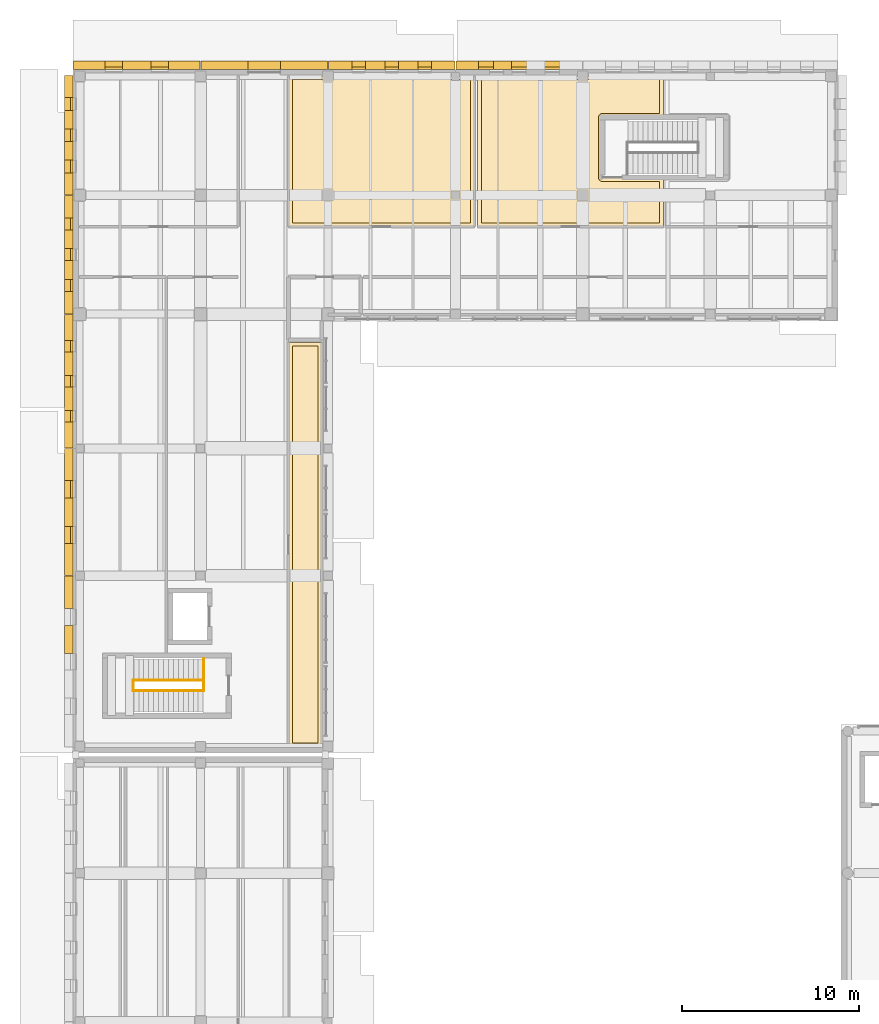
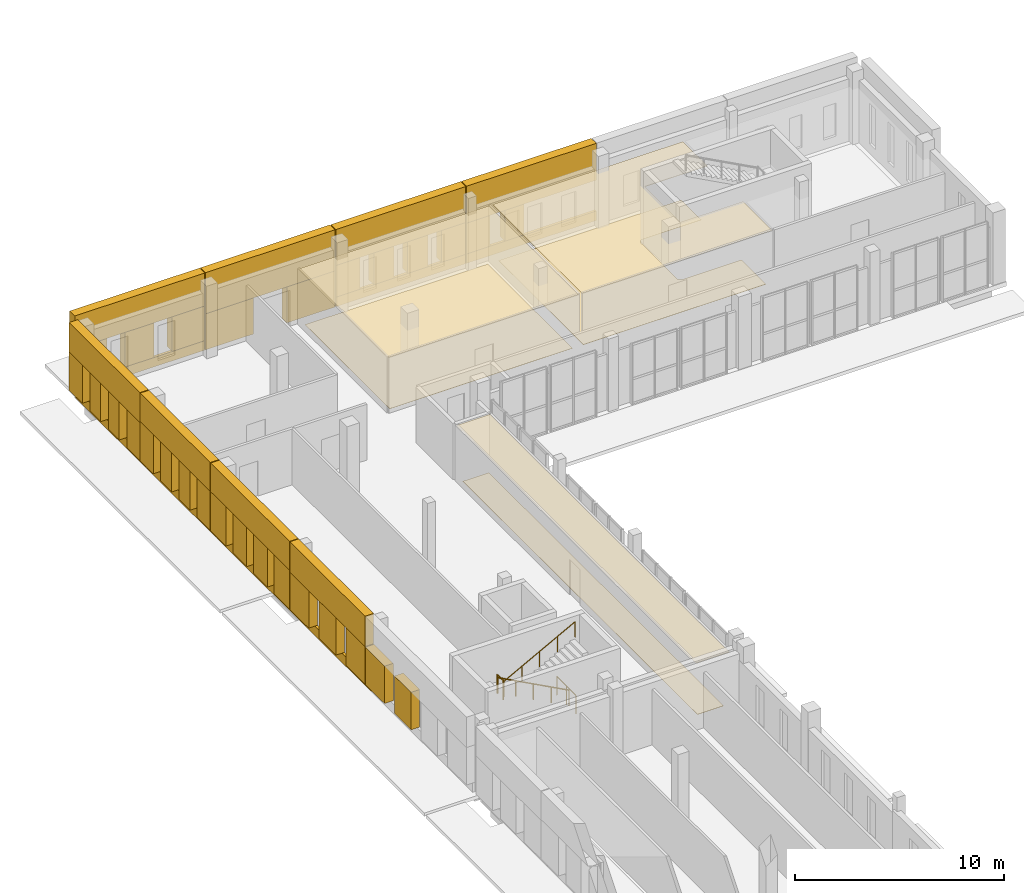
# One storey, part 72 of 77: 49 coverings, 4 railings.
"""IFC4 building model written with IfcOpenShell, lengths in metres."""

from ifc_helpers import new_model, si_unit, direction, frame, origin, origin_2d, place, context, subcontext, project, spatial, polyline, circle, outline, extrude, material, layer, layer_set, type_object, element, save


model = new_model("IFC4")

# Units and contexts
model_context = context("Model", 3, precision=1e-05, world=origin(), true_north=direction((0.0, 1.0)))
body_context = subcontext(model_context, "Body", "Model", "MODEL_VIEW")
ifc_project = project(units=[si_unit("LENGTHUNIT", "METRE"), si_unit("AREAUNIT", "SQUARE_METRE"), si_unit("VOLUMEUNIT", "CUBIC_METRE"), si_unit("PLANEANGLEUNIT", "RADIAN"), si_unit("MASSUNIT", "GRAM", prefix="KILO")], contexts=[model_context])

# Site, building, storey
site_placement = place(None, origin())
site = spatial("IfcSite", under=ifc_project, at=site_placement, CompositionType="ELEMENT")
building_placement = place(site_placement, origin())
building = spatial("IfcBuilding", under=site, at=building_placement, Name="Vardoun Plaza Health Centre", CompositionType="ELEMENT")
storey_placement = place(building_placement, origin())
storey = spatial("IfcBuildingStorey", under=building, at=storey_placement, Name="L00", CompositionType="ELEMENT", Elevation=0.0)

# Coverings
ifc_material_1 = material(Name="Hygienic Acoustic Mineral-Fibre Ceiling", Category="concrete")
ifc_layer_1 = layer(ifc_material_1, 0.02490234375)
ifc_layer_set_1 = layer_set([ifc_layer_1], Name="Hygienic Acoustic Mineral-Fibre Ceiling")
covering_type_1 = type_object("IfcCoveringType", Name="CL-01", PredefinedType="CEILING", material=ifc_layer_set_1)
covering_1_placement = place(storey_placement, frame((0.0, 0.0, 3.195068359375)))
element("IfcCovering", 1, at=covering_1_placement, inside=storey, type_object=covering_type_1, Name="Paediatric Consulting Room 02 Acoustic Ceiling", PredefinedType="CEILING", context=body_context, shape_type="SweptSolid", body=[
    extrude(outline(polyline([(16.679931640625, 114.93994140625), (27.175048828125, 114.93994140625), (27.175048828125, 106.429931640625), (16.679931640625, 106.429931640625), (16.679931640625, 114.93994140625)])), origin(), (0.0, 0.0, 1.0), 0.02490234375),
])
covering_2_placement = place(storey_placement, frame((0.0, 0.0, 3.195068359375)))
element("IfcCovering", 2, at=covering_2_placement, inside=storey, type_object=covering_type_1, Name="Child Immunisation Room Acoustic Ceiling", PredefinedType="CEILING", context=body_context, shape_type="SweptSolid", body=[
    extrude(outline(polyline([(37.85009765625, 114.93994140625), (37.85009765625, 112.610107421875), (34.39990234375, 112.610107421875), (34.39892578125, 112.610107421875), (34.39794921875, 112.60986328125), (34.397216796875, 112.609619140625), (34.396240234375, 112.609130859375), (34.395263671875, 112.60888671875), (34.394287109375, 112.6083984375), (34.393798828125, 112.607666015625), (34.392822265625, 112.607177734375), (34.392333984375, 112.606201171875), (34.3916015625, 112.605712890625), (34.39111328125, 112.604736328125), (34.390869140625, 112.603759765625), (34.390380859375, 112.602783203125), (34.39013671875, 112.60205078125), (34.389892578125, 112.60107421875), (34.389892578125, 112.60009765625), (34.389892578125, 109.199951171875), (34.389892578125, 109.198974609375), (34.39013671875, 109.197998046875), (34.390380859375, 109.197021484375), (34.390869140625, 109.1962890625), (34.39111328125, 109.1953125), (34.3916015625, 109.1943359375), (34.392333984375, 109.193603515625), (34.392822265625, 109.19287109375), (34.393798828125, 109.1923828125), (34.394287109375, 109.191650390625), (34.395263671875, 109.191162109375), (34.396240234375, 109.19091796875), (34.397216796875, 109.1904296875), (34.39794921875, 109.190185546875), (34.39892578125, 109.18994140625), (34.39990234375, 109.18994140625), (37.85009765625, 109.18994140625), (37.85009765625, 106.429931640625), (27.35498046875, 106.429931640625), (27.35498046875, 114.93994140625), (37.85009765625, 114.93994140625)])), origin(), (0.0, 0.0, 1.0), 0.02490234375),
])
covering_3_placement = place(storey_placement, frame((0.0, 0.0, 3.195068359375)))
element("IfcCovering", 3, at=covering_3_placement, inside=storey, type_object=covering_type_1, Name="Paediatric Consulting Room 02 B Acoustic Ceiling", PredefinedType="CEILING", context=body_context, shape_type="SweptSolid", body=[
    extrude(outline(polyline([(18.5400390625, 77.0400390625), (16.679931640625, 77.0400390625), (16.679931640625, 99.879150390625), (18.5400390625, 99.879150390625), (18.5400390625, 77.0400390625)])), origin(), (0.0, 0.0, 1.0), 0.02490234375),
])
ifc_material_2 = material(Name="Pale Limestone Concrete C35/45", Category="masonry")
ifc_layer_2 = layer(ifc_material_2, 0.080078125)
ifc_layer_set_2 = layer_set([ifc_layer_2], Name="Pale Limestone Concrete C35/45")
covering_type_2 = type_object("IfcCoveringType", Name="CL-EXT1", PredefinedType="CLADDING", material=ifc_layer_set_2)
covering_4_placement = place(storey_placement, origin())
element("IfcCovering", 4, at=covering_4_placement, inside=storey, type_object=covering_type_2, Name="V3 L00 Pale Concrete Sill Band 700", PredefinedType="CLADDING", context=body_context, shape_type="SweptSolid", body=[
    extrude(outline(polyline([(4.52001953125, 115.300048828125), (11.679931640625, 115.300048828125), (11.679931640625, 115.43994140625), (4.52001953125, 115.43994140625), (4.52001953125, 115.300048828125)])), origin(), (0.0, 0.0, 1.0), 0.550048828125),
])
covering_5_placement = place(storey_placement, frame((0.0, 0.0, 2.570068359375)))
element("IfcCovering", 5, at=covering_5_placement, inside=storey, type_object=covering_type_2, Name="V3 L00 Sculpted Concrete Eyebrow Hood 701", PredefinedType="CLADDING", context=body_context, shape_type="SweptSolid", body=[
    extrude(outline(polyline([(4.52001953125, 115.300048828125), (11.679931640625, 115.300048828125), (11.679931640625, 115.780029296875), (4.52001953125, 115.780029296875), (4.52001953125, 115.300048828125)])), origin(), (0.0, 0.0, 1.0), 1.929931640625),
])
covering_6_placement = place(storey_placement, frame((0.0, 0.0, 0.550048828125)))
element("IfcCovering", 6, at=covering_6_placement, inside=storey, type_object=covering_type_2, Name="V3 L00 Deep-Punched Slot Concrete Reveal Pier 702", PredefinedType="CLADDING", context=body_context, shape_type="SweptSolid", body=[
    extrude(outline(polyline([(4.52001953125, 115.300048828125), (6.30908203125, 115.300048828125), (6.30908203125, 115.780029296875), (4.52001953125, 115.780029296875), (4.52001953125, 115.300048828125)])), origin(), (0.0, 0.0, 1.0), 2.02001953125),
])
covering_7_placement = place(storey_placement, frame((0.0, 0.0, 0.550048828125)))
element("IfcCovering", 7, at=covering_7_placement, inside=storey, type_object=covering_type_2, Name="V3 L00 Deep-Punched Slot Concrete Reveal Pier 703", PredefinedType="CLADDING", context=body_context, shape_type="SweptSolid", body=[
    extrude(outline(polyline([(7.299072265625, 115.300048828125), (8.90087890625, 115.300048828125), (8.90087890625, 115.780029296875), (7.299072265625, 115.780029296875), (7.299072265625, 115.300048828125)])), origin(), (0.0, 0.0, 1.0), 2.02001953125),
])
covering_8_placement = place(storey_placement, frame((0.0, 0.0, 0.550048828125)))
element("IfcCovering", 8, at=covering_8_placement, inside=storey, type_object=covering_type_2, Name="V3 L00 Deep-Punched Slot Concrete Reveal Pier 704", PredefinedType="CLADDING", context=body_context, shape_type="SweptSolid", body=[
    extrude(outline(polyline([(9.89111328125, 115.300048828125), (11.679931640625, 115.300048828125), (11.679931640625, 115.780029296875), (9.89111328125, 115.780029296875), (9.89111328125, 115.300048828125)])), origin(), (0.0, 0.0, 1.0), 2.02001953125),
])
covering_9_placement = place(storey_placement, frame((0.0, 0.0, 2.10009765625)))
element("IfcCovering", 9, at=covering_9_placement, inside=storey, type_object=covering_type_2, Name="V3 L00 Sculpted Concrete Eyebrow Hood 705", PredefinedType="CLADDING", context=body_context, shape_type="SweptSolid", body=[
    extrude(outline(polyline([(11.719970703125, 115.300048828125), (18.8798828125, 115.300048828125), (18.8798828125, 115.780029296875), (11.719970703125, 115.780029296875), (11.719970703125, 115.300048828125)])), origin(), (0.0, 0.0, 1.0), 2.39990234375),
])
covering_10_placement = place(storey_placement, origin())
element("IfcCovering", 10, at=covering_10_placement, inside=storey, type_object=covering_type_2, Name="V3 L00 Deep-Punched Slot Concrete Reveal Pier 706", PredefinedType="CLADDING", context=body_context, shape_type="SweptSolid", body=[
    extrude(outline(polyline([(11.719970703125, 115.300048828125), (14.3798828125, 115.300048828125), (14.3798828125, 115.780029296875), (11.719970703125, 115.780029296875), (11.719970703125, 115.300048828125)])), origin(), (0.0, 0.0, 1.0), 2.10009765625),
])
covering_11_placement = place(storey_placement, origin())
element("IfcCovering", 11, at=covering_11_placement, inside=storey, type_object=covering_type_2, Name="V3 L00 Deep-Punched Slot Concrete Reveal Pier 707", PredefinedType="CLADDING", context=body_context, shape_type="SweptSolid", body=[
    extrude(outline(polyline([(16.219970703125, 115.300048828125), (18.8798828125, 115.300048828125), (18.8798828125, 115.780029296875), (16.219970703125, 115.780029296875), (16.219970703125, 115.300048828125)])), origin(), (0.0, 0.0, 1.0), 2.10009765625),
])
covering_12_placement = place(storey_placement, origin())
element("IfcCovering", 12, at=covering_12_placement, inside=storey, type_object=covering_type_2, Name="V3 L00 Pale Concrete Sill Band 708", PredefinedType="CLADDING", context=body_context, shape_type="SweptSolid", body=[
    extrude(outline(polyline([(18.919921875, 115.300048828125), (26.080078125, 115.300048828125), (26.080078125, 115.43994140625), (18.919921875, 115.43994140625), (18.919921875, 115.300048828125)])), origin(), (0.0, 0.0, 1.0), 0.550048828125),
])
covering_13_placement = place(storey_placement, frame((0.0, 0.0, 2.39990234375)))
element("IfcCovering", 13, at=covering_13_placement, inside=storey, type_object=covering_type_2, Name="V3 L00 Sculpted Concrete Eyebrow Hood 709", PredefinedType="CLADDING", context=body_context, shape_type="SweptSolid", body=[
    extrude(outline(polyline([(18.919921875, 115.300048828125), (26.080078125, 115.300048828125), (26.080078125, 115.780029296875), (18.919921875, 115.780029296875), (18.919921875, 115.300048828125)])), origin(), (0.0, 0.0, 1.0), 2.10009765625),
])
covering_14_placement = place(storey_placement, frame((0.0, 0.0, 0.550048828125)))
element("IfcCovering", 14, at=covering_14_placement, inside=storey, type_object=covering_type_2, Name="V3 L00 Deep-Punched Slot Concrete Reveal Pier 710", PredefinedType="CLADDING", context=body_context, shape_type="SweptSolid", body=[
    extrude(outline(polyline([(18.919921875, 115.300048828125), (20.248046875, 115.300048828125), (20.248046875, 115.780029296875), (18.919921875, 115.780029296875), (18.919921875, 115.300048828125)])), origin(), (0.0, 0.0, 1.0), 1.849853515625),
])
covering_15_placement = place(storey_placement, frame((0.0, 0.0, 0.550048828125)))
element("IfcCovering", 15, at=covering_15_placement, inside=storey, type_object=covering_type_2, Name="V3 L00 Deep-Punched Slot Concrete Reveal Pier 711", PredefinedType="CLADDING", context=body_context, shape_type="SweptSolid", body=[
    extrude(outline(polyline([(21.008056640625, 115.300048828125), (22.1201171875, 115.300048828125), (22.1201171875, 115.780029296875), (21.008056640625, 115.780029296875), (21.008056640625, 115.300048828125)])), origin(), (0.0, 0.0, 1.0), 1.849853515625),
])
covering_16_placement = place(storey_placement, frame((0.0, 0.0, 0.550048828125)))
element("IfcCovering", 16, at=covering_16_placement, inside=storey, type_object=covering_type_2, Name="V3 L00 Deep-Punched Slot Concrete Reveal Pier 712", PredefinedType="CLADDING", context=body_context, shape_type="SweptSolid", body=[
    extrude(outline(polyline([(22.8798828125, 115.300048828125), (23.991943359375, 115.300048828125), (23.991943359375, 115.780029296875), (22.8798828125, 115.780029296875), (22.8798828125, 115.300048828125)])), origin(), (0.0, 0.0, 1.0), 1.849853515625),
])
covering_17_placement = place(storey_placement, frame((0.0, 0.0, 0.550048828125)))
element("IfcCovering", 17, at=covering_17_placement, inside=storey, type_object=covering_type_2, Name="V3 L00 Deep-Punched Slot Concrete Reveal Pier 713", PredefinedType="CLADDING", context=body_context, shape_type="SweptSolid", body=[
    extrude(outline(polyline([(24.751953125, 115.300048828125), (26.080078125, 115.300048828125), (26.080078125, 115.780029296875), (24.751953125, 115.780029296875), (24.751953125, 115.300048828125)])), origin(), (0.0, 0.0, 1.0), 1.849853515625),
])
covering_18_placement = place(storey_placement, origin())
element("IfcCovering", 18, at=covering_18_placement, inside=storey, type_object=covering_type_2, Name="V3 L00 Pale Concrete Sill Band 714", PredefinedType="CLADDING", context=body_context, shape_type="SweptSolid", body=[
    extrude(outline(polyline([(26.1201171875, 115.300048828125), (33.280029296875, 115.300048828125), (33.280029296875, 115.43994140625), (26.1201171875, 115.43994140625), (26.1201171875, 115.300048828125)])), origin(), (0.0, 0.0, 1.0), 0.550048828125),
])
covering_19_placement = place(storey_placement, frame((0.0, 0.0, 2.35009765625)))
element("IfcCovering", 19, at=covering_19_placement, inside=storey, type_object=covering_type_2, Name="V3 L00 Sculpted Concrete Eyebrow Hood 715", PredefinedType="CLADDING", context=body_context, shape_type="SweptSolid", body=[
    extrude(outline(polyline([(26.1201171875, 115.300048828125), (33.280029296875, 115.300048828125), (33.280029296875, 115.780029296875), (26.1201171875, 115.780029296875), (26.1201171875, 115.300048828125)])), origin(), (0.0, 0.0, 1.0), 2.14990234375),
])
covering_20_placement = place(storey_placement, frame((0.0, 0.0, 0.550048828125)))
element("IfcCovering", 20, at=covering_20_placement, inside=storey, type_object=covering_type_2, Name="V3 L00 Deep-Punched Slot Concrete Reveal Pier 716", PredefinedType="CLADDING", context=body_context, shape_type="SweptSolid", body=[
    extrude(outline(polyline([(26.1201171875, 115.300048828125), (27.407958984375, 115.300048828125), (27.407958984375, 115.780029296875), (26.1201171875, 115.780029296875), (26.1201171875, 115.300048828125)])), origin(), (0.0, 0.0, 1.0), 1.800048828125),
])
covering_21_placement = place(storey_placement, frame((0.0, 0.0, 0.550048828125)))
element("IfcCovering", 21, at=covering_21_placement, inside=storey, type_object=covering_type_2, Name="V3 L00 Deep-Punched Slot Concrete Reveal Pier 717", PredefinedType="CLADDING", context=body_context, shape_type="SweptSolid", body=[
    extrude(outline(polyline([(28.248046875, 115.300048828125), (29.280029296875, 115.300048828125), (29.280029296875, 115.780029296875), (28.248046875, 115.780029296875), (28.248046875, 115.300048828125)])), origin(), (0.0, 0.0, 1.0), 1.800048828125),
])
covering_22_placement = place(storey_placement, frame((0.0, 0.0, 0.550048828125)))
element("IfcCovering", 22, at=covering_22_placement, inside=storey, type_object=covering_type_2, Name="V3 L00 Deep-Punched Slot Concrete Reveal Pier 742", PredefinedType="CLADDING", context=body_context, shape_type="SweptSolid", body=[
    extrude(outline(polyline([(4.5, 82.3173828125), (4.5, 83.90087890625), (4.02001953125, 83.90087890625), (4.02001953125, 82.3173828125), (4.5, 82.3173828125)])), origin(), (0.0, 0.0, 1.0), 2.179931640625),
])
covering_23_placement = place(storey_placement, frame((0.0, 0.0, 0.550048828125)))
element("IfcCovering", 23, at=covering_23_placement, inside=storey, type_object=covering_type_2, Name="V3 L00 Deep-Punched Slot Concrete Reveal Pier 743", PredefinedType="CLADDING", context=body_context, shape_type="SweptSolid", body=[
    extrude(outline(polyline([(4.5, 84.8408203125), (4.5, 86.679931640625), (4.02001953125, 86.679931640625), (4.02001953125, 84.8408203125), (4.5, 84.8408203125)])), origin(), (0.0, 0.0, 1.0), 2.179931640625),
])
covering_24_placement = place(storey_placement, origin())
element("IfcCovering", 24, at=covering_24_placement, inside=storey, type_object=covering_type_2, Name="V3 L00 Pale Concrete Sill Band 744", PredefinedType="CLADDING", context=body_context, shape_type="SweptSolid", body=[
    extrude(outline(polyline([(4.5, 86.719970703125), (4.5, 93.8798828125), (4.360107421875, 93.8798828125), (4.360107421875, 86.719970703125), (4.5, 86.719970703125)])), origin(), (0.0, 0.0, 1.0), 0.550048828125),
])
covering_25_placement = place(storey_placement, frame((0.0, 0.0, 2.72998046875)))
element("IfcCovering", 25, at=covering_25_placement, inside=storey, type_object=covering_type_2, Name="V3 L00 Sculpted Concrete Eyebrow Hood 745", PredefinedType="CLADDING", context=body_context, shape_type="SweptSolid", body=[
    extrude(outline(polyline([(4.5, 86.719970703125), (4.5, 93.8798828125), (4.02001953125, 93.8798828125), (4.02001953125, 86.719970703125), (4.5, 86.719970703125)])), origin(), (0.0, 0.0, 1.0), 1.77001953125),
])
covering_26_placement = place(storey_placement, frame((0.0, 0.0, 0.550048828125)))
element("IfcCovering", 26, at=covering_26_placement, inside=storey, type_object=covering_type_2, Name="V3 L00 Deep-Punched Slot Concrete Reveal Pier 746", PredefinedType="CLADDING", context=body_context, shape_type="SweptSolid", body=[
    extrude(outline(polyline([(4.5, 86.719970703125), (4.5, 88.513916015625), (4.02001953125, 88.513916015625), (4.02001953125, 86.719970703125), (4.5, 86.719970703125)])), origin(), (0.0, 0.0, 1.0), 2.179931640625),
])
covering_27_placement = place(storey_placement, frame((0.0, 0.0, 0.550048828125)))
element("IfcCovering", 27, at=covering_27_placement, inside=storey, type_object=covering_type_2, Name="V3 L00 Deep-Punched Slot Concrete Reveal Pier 747", PredefinedType="CLADDING", context=body_context, shape_type="SweptSolid", body=[
    extrude(outline(polyline([(4.5, 89.493896484375), (4.5, 91.10595703125), (4.02001953125, 91.10595703125), (4.02001953125, 89.493896484375), (4.5, 89.493896484375)])), origin(), (0.0, 0.0, 1.0), 2.179931640625),
])
covering_28_placement = place(storey_placement, frame((0.0, 0.0, 0.550048828125)))
element("IfcCovering", 28, at=covering_28_placement, inside=storey, type_object=covering_type_2, Name="V3 L00 Deep-Punched Slot Concrete Reveal Pier 748", PredefinedType="CLADDING", context=body_context, shape_type="SweptSolid", body=[
    extrude(outline(polyline([(4.5, 92.0859375), (4.5, 93.8798828125), (4.02001953125, 93.8798828125), (4.02001953125, 92.0859375), (4.5, 92.0859375)])), origin(), (0.0, 0.0, 1.0), 2.179931640625),
])
covering_29_placement = place(storey_placement, origin())
element("IfcCovering", 29, at=covering_29_placement, inside=storey, type_object=covering_type_2, Name="V3 L00 Pale Concrete Sill Band 749", PredefinedType="CLADDING", context=body_context, shape_type="SweptSolid", body=[
    extrude(outline(polyline([(4.5, 93.919921875), (4.5, 101.4599609375), (4.360107421875, 101.4599609375), (4.360107421875, 93.919921875), (4.5, 93.919921875)])), origin(), (0.0, 0.0, 1.0), 0.550048828125),
])
covering_30_placement = place(storey_placement, frame((0.0, 0.0, 2.830078125)))
element("IfcCovering", 30, at=covering_30_placement, inside=storey, type_object=covering_type_2, Name="V3 L00 Sculpted Concrete Eyebrow Hood 750", PredefinedType="CLADDING", context=body_context, shape_type="SweptSolid", body=[
    extrude(outline(polyline([(4.5, 93.919921875), (4.5, 101.4599609375), (4.02001953125, 101.4599609375), (4.02001953125, 93.919921875), (4.5, 93.919921875)])), origin(), (0.0, 0.0, 1.0), 1.669921875),
])
covering_31_placement = place(storey_placement, frame((0.0, 0.0, 0.550048828125)))
element("IfcCovering", 31, at=covering_31_placement, inside=storey, type_object=covering_type_2, Name="V3 L00 Deep-Punched Slot Concrete Reveal Pier 751", PredefinedType="CLADDING", context=body_context, shape_type="SweptSolid", body=[
    extrude(outline(polyline([(4.5, 93.919921875), (4.5, 95.399169921875), (4.02001953125, 95.399169921875), (4.02001953125, 93.919921875), (4.5, 93.919921875)])), origin(), (0.0, 0.0, 1.0), 2.280029296875),
])
covering_32_placement = place(storey_placement, frame((0.0, 0.0, 0.550048828125)))
element("IfcCovering", 32, at=covering_32_placement, inside=storey, type_object=covering_type_2, Name="V3 L00 Deep-Punched Slot Concrete Reveal Pier 752", PredefinedType="CLADDING", context=body_context, shape_type="SweptSolid", body=[
    extrude(outline(polyline([(4.5, 96.039306640625), (4.5, 97.3701171875), (4.02001953125, 97.3701171875), (4.02001953125, 96.039306640625), (4.5, 96.039306640625)])), origin(), (0.0, 0.0, 1.0), 2.280029296875),
])
covering_33_placement = place(storey_placement, frame((0.0, 0.0, 0.550048828125)))
element("IfcCovering", 33, at=covering_33_placement, inside=storey, type_object=covering_type_2, Name="V3 L00 Deep-Punched Slot Concrete Reveal Pier 753", PredefinedType="CLADDING", context=body_context, shape_type="SweptSolid", body=[
    extrude(outline(polyline([(4.5, 98.010009765625), (4.5, 99.3408203125), (4.02001953125, 99.3408203125), (4.02001953125, 98.010009765625), (4.5, 98.010009765625)])), origin(), (0.0, 0.0, 1.0), 2.280029296875),
])
covering_34_placement = place(storey_placement, frame((0.0, 0.0, 0.550048828125)))
element("IfcCovering", 34, at=covering_34_placement, inside=storey, type_object=covering_type_2, Name="V3 L00 Deep-Punched Slot Concrete Reveal Pier 754", PredefinedType="CLADDING", context=body_context, shape_type="SweptSolid", body=[
    extrude(outline(polyline([(4.5, 99.980712890625), (4.5, 101.4599609375), (4.02001953125, 101.4599609375), (4.02001953125, 99.980712890625), (4.5, 99.980712890625)])), origin(), (0.0, 0.0, 1.0), 2.280029296875),
])
covering_35_placement = place(storey_placement, origin())
element("IfcCovering", 35, at=covering_35_placement, inside=storey, type_object=covering_type_2, Name="V3 L00 Pale Concrete Sill Band 755", PredefinedType="CLADDING", context=body_context, shape_type="SweptSolid", body=[
    extrude(outline(polyline([(4.5, 101.5), (4.5, 108.179931640625), (4.360107421875, 108.179931640625), (4.360107421875, 101.5), (4.5, 101.5)])), origin(), (0.0, 0.0, 1.0), 0.550048828125),
])
covering_36_placement = place(storey_placement, frame((0.0, 0.0, 2.830078125)))
element("IfcCovering", 36, at=covering_36_placement, inside=storey, type_object=covering_type_2, Name="V3 L00 Sculpted Concrete Eyebrow Hood 756", PredefinedType="CLADDING", context=body_context, shape_type="SweptSolid", body=[
    extrude(outline(polyline([(4.5, 101.5), (4.5, 108.179931640625), (4.02001953125, 108.179931640625), (4.02001953125, 101.5), (4.5, 101.5)])), origin(), (0.0, 0.0, 1.0), 1.669921875),
])
covering_37_placement = place(storey_placement, frame((0.0, 0.0, 0.550048828125)))
element("IfcCovering", 37, at=covering_37_placement, inside=storey, type_object=covering_type_2, Name="V3 L00 Deep-Punched Slot Concrete Reveal Pier 757", PredefinedType="CLADDING", context=body_context, shape_type="SweptSolid", body=[
    extrude(outline(polyline([(4.5, 101.5), (4.5, 102.752685546875), (4.02001953125, 102.752685546875), (4.02001953125, 101.5), (4.5, 101.5)])), origin(), (0.0, 0.0, 1.0), 2.280029296875),
])
covering_38_placement = place(storey_placement, frame((0.0, 0.0, 0.550048828125)))
element("IfcCovering", 38, at=covering_38_placement, inside=storey, type_object=covering_type_2, Name="V3 L00 Deep-Punched Slot Concrete Reveal Pier 758", PredefinedType="CLADDING", context=body_context, shape_type="SweptSolid", body=[
    extrude(outline(polyline([(4.5, 103.432861328125), (4.5, 104.5), (4.02001953125, 104.5), (4.02001953125, 103.432861328125), (4.5, 103.432861328125)])), origin(), (0.0, 0.0, 1.0), 2.280029296875),
])
covering_39_placement = place(storey_placement, frame((0.0, 0.0, 0.550048828125)))
element("IfcCovering", 39, at=covering_39_placement, inside=storey, type_object=covering_type_2, Name="V3 L00 Deep-Punched Slot Concrete Reveal Pier 759", PredefinedType="CLADDING", context=body_context, shape_type="SweptSolid", body=[
    extrude(outline(polyline([(4.5, 105.179931640625), (4.5, 106.247314453125), (4.02001953125, 106.247314453125), (4.02001953125, 105.179931640625), (4.5, 105.179931640625)])), origin(), (0.0, 0.0, 1.0), 2.280029296875),
])
covering_40_placement = place(storey_placement, frame((0.0, 0.0, 0.550048828125)))
element("IfcCovering", 40, at=covering_40_placement, inside=storey, type_object=covering_type_2, Name="V3 L00 Deep-Punched Slot Concrete Reveal Pier 760", PredefinedType="CLADDING", context=body_context, shape_type="SweptSolid", body=[
    extrude(outline(polyline([(4.5, 106.92724609375), (4.5, 108.179931640625), (4.02001953125, 108.179931640625), (4.02001953125, 106.92724609375), (4.5, 106.92724609375)])), origin(), (0.0, 0.0, 1.0), 2.280029296875),
])
covering_41_placement = place(storey_placement, origin())
element("IfcCovering", 41, at=covering_41_placement, inside=storey, type_object=covering_type_2, Name="V3 L00 Pale Concrete Sill Band 761", PredefinedType="CLADDING", context=body_context, shape_type="SweptSolid", body=[
    extrude(outline(polyline([(4.5, 108.219970703125), (4.5, 114.965087890625), (4.360107421875, 114.965087890625), (4.360107421875, 108.219970703125), (4.5, 108.219970703125)])), origin(), (0.0, 0.0, 1.0), 0.550048828125),
])
covering_42_placement = place(storey_placement, frame((0.0, 0.0, 2.77001953125)))
element("IfcCovering", 42, at=covering_42_placement, inside=storey, type_object=covering_type_2, Name="V3 L00 Sculpted Concrete Eyebrow Hood 762", PredefinedType="CLADDING", context=body_context, shape_type="SweptSolid", body=[
    extrude(outline(polyline([(4.5, 108.219970703125), (4.5, 114.965087890625), (4.02001953125, 114.965087890625), (4.02001953125, 108.219970703125), (4.5, 108.219970703125)])), origin(), (0.0, 0.0, 1.0), 1.72998046875),
])
covering_43_placement = place(storey_placement, frame((0.0, 0.0, 0.550048828125)))
element("IfcCovering", 43, at=covering_43_placement, inside=storey, type_object=covering_type_2, Name="V3 L00 Deep-Punched Slot Concrete Reveal Pier 763", PredefinedType="CLADDING", context=body_context, shape_type="SweptSolid", body=[
    extrude(outline(polyline([(4.5, 108.219970703125), (4.5, 109.468505859375), (4.02001953125, 109.468505859375), (4.02001953125, 108.219970703125), (4.5, 108.219970703125)])), origin(), (0.0, 0.0, 1.0), 2.219970703125),
])
covering_44_placement = place(storey_placement, frame((0.0, 0.0, 0.550048828125)))
element("IfcCovering", 44, at=covering_44_placement, inside=storey, type_object=covering_type_2, Name="V3 L00 Deep-Punched Slot Concrete Reveal Pier 764", PredefinedType="CLADDING", context=body_context, shape_type="SweptSolid", body=[
    extrude(outline(polyline([(4.5, 110.1884765625), (4.5, 111.232421875), (4.02001953125, 111.232421875), (4.02001953125, 110.1884765625), (4.5, 110.1884765625)])), origin(), (0.0, 0.0, 1.0), 2.219970703125),
])
covering_45_placement = place(storey_placement, frame((0.0, 0.0, 0.550048828125)))
element("IfcCovering", 45, at=covering_45_placement, inside=storey, type_object=covering_type_2, Name="V3 L00 Deep-Punched Slot Concrete Reveal Pier 765", PredefinedType="CLADDING", context=body_context, shape_type="SweptSolid", body=[
    extrude(outline(polyline([(4.5, 111.952392578125), (4.5, 112.99658203125), (4.02001953125, 112.99658203125), (4.02001953125, 111.952392578125), (4.5, 111.952392578125)])), origin(), (0.0, 0.0, 1.0), 2.219970703125),
])
covering_46_placement = place(storey_placement, frame((0.0, 0.0, 0.550048828125)))
element("IfcCovering", 46, at=covering_46_placement, inside=storey, type_object=covering_type_2, Name="V3 L00 Deep-Punched Slot Concrete Reveal Pier 766", PredefinedType="CLADDING", context=body_context, shape_type="SweptSolid", body=[
    extrude(outline(polyline([(4.5, 113.716552734375), (4.5, 114.965087890625), (4.02001953125, 114.965087890625), (4.02001953125, 113.716552734375), (4.5, 113.716552734375)])), origin(), (0.0, 0.0, 1.0), 2.219970703125),
])
ifc_material_3 = material(Name="Seamless Conductive Clinical Vinyl Flooring", Category="concrete")
ifc_layer_3 = layer(ifc_material_3, 0.014892578125)
ifc_layer_set_3 = layer_set([ifc_layer_3], Name="Seamless Conductive Clinical Vinyl Flooring")
covering_type_3 = type_object("IfcCoveringType", Name="FL-01", PredefinedType="FLOORING", material=ifc_layer_set_3)
covering_47_placement = place(storey_placement, origin())
element("IfcCovering", 47, at=covering_47_placement, inside=storey, type_object=covering_type_3, Name="Paediatric Consulting Room 02 Floor Finish", PredefinedType="FLOORING", context=body_context, shape_type="SweptSolid", body=[
    extrude(outline(polyline([(16.889892578125, 114.72998046875), (26.965087890625, 114.72998046875), (26.965087890625, 106.639892578125), (16.889892578125, 106.639892578125), (16.889892578125, 114.72998046875)])), origin(), (0.0, 0.0, 1.0), 0.014892578125),
])
covering_48_placement = place(storey_placement, origin())
element("IfcCovering", 48, at=covering_48_placement, inside=storey, type_object=covering_type_3, Name="Child Immunisation Room Floor Finish", PredefinedType="FLOORING", context=body_context, shape_type="SweptSolid", body=[
    extrude(outline(polyline([(37.639892578125, 114.72998046875), (37.639892578125, 112.820068359375), (34.39990234375, 112.820068359375), (34.37841796875, 112.81884765625), (34.357177734375, 112.81591796875), (34.336181640625, 112.810546875), (34.31591796875, 112.80322265625), (34.29638671875, 112.7939453125), (34.27783203125, 112.782958984375), (34.260498046875, 112.77001953125), (34.244384765625, 112.755615234375), (34.22998046875, 112.739501953125), (34.217041015625, 112.72216796875), (34.2060546875, 112.70361328125), (34.19677734375, 112.68408203125), (34.189453125, 112.663818359375), (34.18408203125, 112.642822265625), (34.18115234375, 112.62158203125), (34.179931640625, 112.60009765625), (34.179931640625, 109.199951171875), (34.18115234375, 109.178466796875), (34.18408203125, 109.156982421875), (34.189453125, 109.135986328125), (34.19677734375, 109.11572265625), (34.2060546875, 109.09619140625), (34.217041015625, 109.077880859375), (34.22998046875, 109.060302734375), (34.244384765625, 109.04443359375), (34.260498046875, 109.02978515625), (34.27783203125, 109.01708984375), (34.29638671875, 109.006103515625), (34.31591796875, 108.99658203125), (34.336181640625, 108.989501953125), (34.357177734375, 108.984130859375), (34.37841796875, 108.981201171875), (34.39990234375, 108.97998046875), (37.639892578125, 108.97998046875), (37.639892578125, 106.639892578125), (27.56494140625, 106.639892578125), (27.56494140625, 114.72998046875), (37.639892578125, 114.72998046875)])), origin(), (0.0, 0.0, 1.0), 0.014892578125),
])
covering_49_placement = place(storey_placement, origin())
element("IfcCovering", 49, at=covering_49_placement, inside=storey, type_object=covering_type_3, Name="Paediatric Consulting Room 02 B Floor Finish", PredefinedType="FLOORING", context=body_context, shape_type="SweptSolid", body=[
    extrude(outline(polyline([(18.330078125, 77.25), (16.889892578125, 77.25), (16.889892578125, 99.669189453125), (18.330078125, 99.669189453125), (18.330078125, 77.25)])), origin(), (0.0, 0.0, 1.0), 0.014892578125),
])

# Railings
ifc_material_4 = material(Name="Painted Steel S275JR Stair-Well Guardrail", Category="steel")
railing_type_1 = type_object("IfcRailingType", Name="GR-04", PredefinedType="GUARDRAIL", material=ifc_material_4)
railing_1_placement = place(storey_placement, frame((11.889892578125, 80.205078125, 0.0)))
element("IfcRailing", 50, at=railing_1_placement, inside=storey, type_object=railing_type_1, Name="Stair ST-C3-B1 Upper Landing Well Guard", PredefinedType="GUARDRAIL", context=body_context, shape_type="SweptSolid", body=[
    extrude(circle(Radius=0.02392578125, at=origin_2d()), frame((0.0, 0.0, 1.09619140625), z_axis=(0.0, 1.0, 0.0), x_axis=(-1.0, 0.0, 0.0)), (0.0, 0.0, 1.0), 1.81494140625),
    extrude(circle(Radius=0.02099609375, at=origin_2d()), origin(), (0.0, 0.0, 1.0), 1.072021484375),
    extrude(circle(Radius=0.02099609375, at=origin_2d()), frame((0.0, 0.907470703125, 0.0)), (0.0, 0.0, 1.0), 1.072021484375),
    extrude(circle(Radius=0.02099609375, at=origin_2d()), frame((0.0, 1.81494140625, 0.0)), (0.0, 0.0, 1.0), 1.072021484375),
])
railing_2_placement = place(storey_placement, frame((7.889892578125, 80.205078125, 2.25)))
element("IfcRailing", 51, at=railing_2_placement, inside=storey, type_object=railing_type_1, Name="Stair ST-C3-L00 Mid-Landing Well Guard", PredefinedType="GUARDRAIL", context=body_context, shape_type="SweptSolid", body=[
    extrude(circle(Radius=0.02392578125, at=origin_2d()), frame((0.0, 0.0, 1.09619140625), z_axis=(0.0, 1.0, 0.0), x_axis=(-1.0, 0.0, 0.0)), (0.0, 0.0, 1.0), 0.58984375),
    extrude(circle(Radius=0.02099609375, at=origin_2d()), origin(), (0.0, 0.0, 1.0), 1.072021484375),
    extrude(circle(Radius=0.02099609375, at=origin_2d()), frame((0.0, 0.58984375, 0.0)), (0.0, 0.0, 1.0), 1.072021484375),
])
ifc_material_5 = material(Name="Brushed Stainless Steel Grade 316L", Category="steel")
railing_type_2 = type_object("IfcRailingType", Name="HR-01", PredefinedType="HANDRAIL", material=ifc_material_5)
railing_3_placement = place(storey_placement, frame((11.85009765625, 80.794921875, 0.14990234375)))
element("IfcRailing", 52, at=railing_3_placement, inside=storey, type_object=railing_type_2, Name="Stair ST-C3-L00 Flight 1 Handrail", PredefinedType="HANDRAIL", context=body_context, shape_type="SweptSolid", body=[
    extrude(circle(Radius=0.02392578125, at=origin_2d()), frame((0.0, 0.0, 0.89599609375), z_axis=(-0.881479153919, 0.0, 0.472222935917), x_axis=(0.0, -1.0, 0.0)), (0.0, 0.0, 1.0), 4.447265625),
    extrude(circle(Radius=0.02099609375, at=origin_2d()), origin(), (0.0, 0.0, 1.0), 0.871826171875),
    extrude(circle(Radius=0.02099609375, at=origin_2d()), frame((-0.97998046875, 0.0, 0.52490234375)), (0.0, 0.0, 1.0), 0.871826171875),
    extrude(circle(Radius=0.02099609375, at=origin_2d()), frame((-1.9599609375, 0.0, 1.050048828125)), (0.0, 0.0, 1.0), 0.871826171875),
    extrude(circle(Radius=0.02099609375, at=origin_2d()), frame((-2.940185546875, 0.0, 1.5751953125)), (0.0, 0.0, 1.0), 0.871826171875),
    extrude(circle(Radius=0.02099609375, at=origin_2d()), frame((-3.920166015625, 0.0, 2.10009765625)), (0.0, 0.0, 1.0), 0.871826171875),
])
railing_4_placement = place(storey_placement, frame((7.929931640625, 80.205078125, 2.39990234375)))
element("IfcRailing", 53, at=railing_4_placement, inside=storey, type_object=railing_type_2, Name="Stair ST-C3-L00 Flight 2 Handrail", PredefinedType="HANDRAIL", context=body_context, shape_type="SweptSolid", body=[
    extrude(circle(Radius=0.02392578125, at=origin_2d()), frame((0.0, 0.0, 0.89599609375), z_axis=(0.881479153919, 0.0, 0.472222935917), x_axis=(0.0, 1.0, 0.0)), (0.0, 0.0, 1.0), 4.447265625),
    extrude(circle(Radius=0.02099609375, at=origin_2d()), origin(), (0.0, 0.0, 1.0), 0.871826171875),
    extrude(circle(Radius=0.02099609375, at=origin_2d()), frame((0.97998046875, 0.0, 0.52490234375)), (0.0, 0.0, 1.0), 0.871826171875),
    extrude(circle(Radius=0.02099609375, at=origin_2d()), frame((1.9599609375, 0.0, 1.050048828125)), (0.0, 0.0, 1.0), 0.871826171875),
    extrude(circle(Radius=0.02099609375, at=origin_2d()), frame((2.940185546875, 0.0, 1.5751953125)), (0.0, 0.0, 1.0), 0.871826171875),
    extrude(circle(Radius=0.02099609375, at=origin_2d()), frame((3.920166015625, 0.0, 2.10009765625)), (0.0, 0.0, 1.0), 0.871826171875),
])

save(model, "model.ifc")
